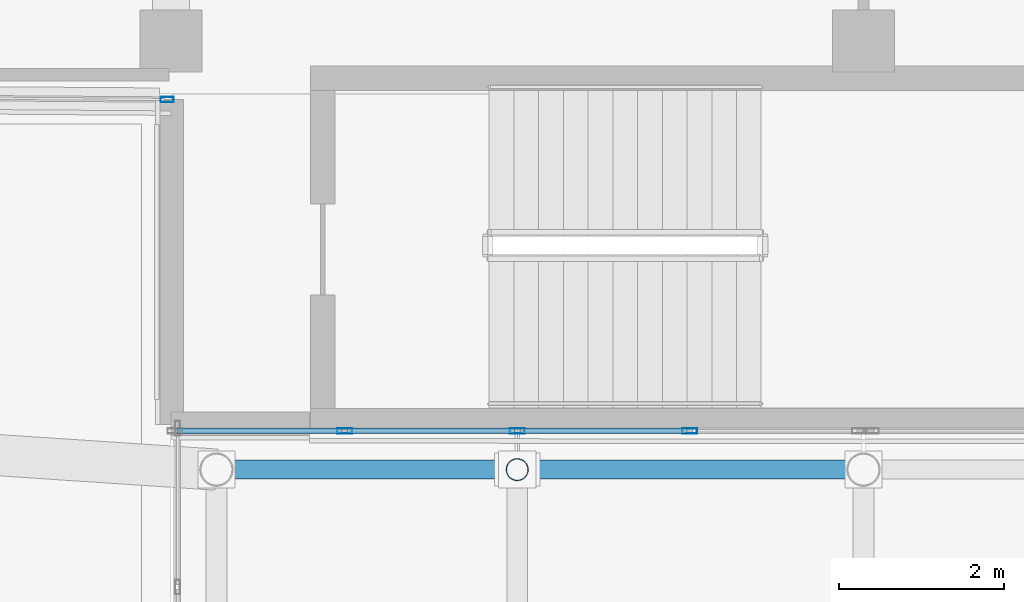
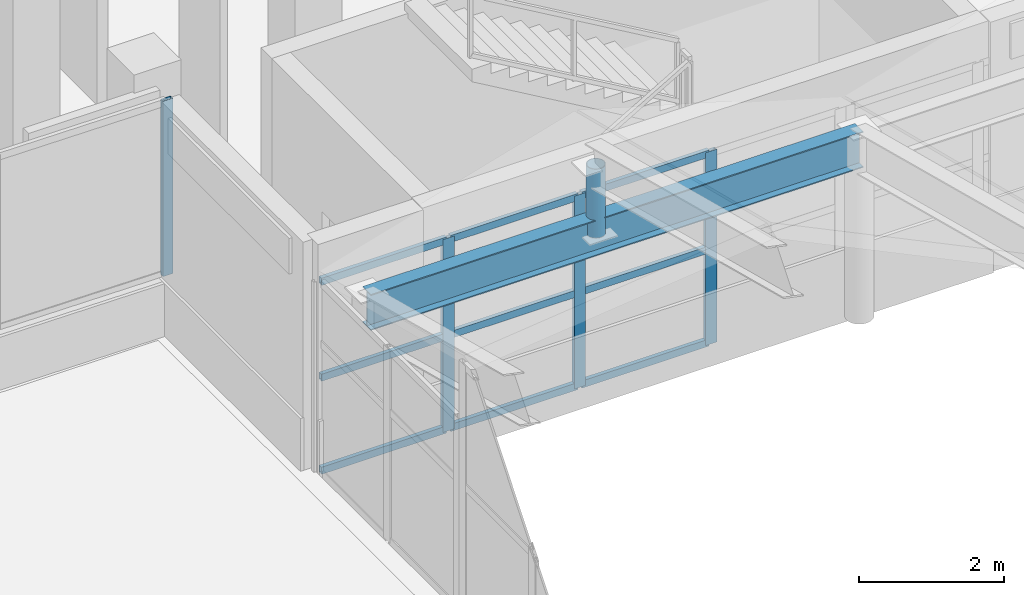
# One storey, part 76 of 184: 14 members, 1 beam, 2 elements without a shape of their own.
"""IFC4 building model written with IfcOpenShell, lengths in metres."""

from ifc_helpers import new_model, si_unit, direction, frame, origin, origin_2d, place, context, subcontext, project, spatial, hollow_rectangle, hollow_circle, i_section, extrude, material, material_profile, profile_set, type_object, element, aggregate, save


model = new_model("IFC4")

# Units and contexts
model_context = context("Model", 3, precision=1e-05, world=origin(), true_north=direction((0.0, 1.0)))
body_context = subcontext(model_context, "Body", "Model", "MODEL_VIEW")
ifc_project = project(units=[si_unit("LENGTHUNIT", "METRE"), si_unit("AREAUNIT", "SQUARE_METRE"), si_unit("VOLUMEUNIT", "CUBIC_METRE"), si_unit("PLANEANGLEUNIT", "RADIAN"), si_unit("MASSUNIT", "GRAM", prefix="KILO")], contexts=[model_context])

# Site, building, storey
site_placement = place(None, origin())
site = spatial("IfcSite", under=ifc_project, at=site_placement, CompositionType="ELEMENT")
building_placement = place(site_placement, origin())
building = spatial("IfcBuilding", under=site, at=building_placement, Name="Selatvlak General Hospital", CompositionType="ELEMENT")
storey_placement = place(building_placement, frame((0.0, 0.0, 15.0)))
storey = spatial("IfcBuildingStorey", under=building, at=storey_placement, Name="L03", CompositionType="ELEMENT", Elevation=15.0)

# Beam
ifc_material_1 = material(Name="Steel S355", Category="steel")
ifc_material_profile_1 = material_profile(ifc_material_1, i_section(OverallWidth=0.228271484375, OverallDepth=0.607666015625, WebThickness=0.010986328125, FlangeThickness=0.017333984375, at=origin_2d()), Name="UB 610x229x113")
ifc_profile_set_1 = profile_set([ifc_material_profile_1], Name="Steel S355")
beam_type = type_object("IfcBeamType", Name="BM-RF4", PredefinedType="BEAM", material=ifc_profile_set_1)
beam_placement = place(storey_placement, frame((23.35009765625, 83.449951171875, 2.87109375), z_axis=(1.0, 0.0, 0.0), x_axis=(0.0, 1.0, 0.0)))
element("IfcBeam", 1, at=beam_placement, inside=storey, type_object=beam_type, Name="Folded roof N valley girder 1", PredefinedType="BEAM", context=body_context, shape_type="SweptSolid", body=[
    extrude(i_section(OverallWidth=0.228271484375, OverallDepth=0.607666015625, WebThickness=0.010986328125, FlangeThickness=0.017333984375, at=origin_2d()), origin(), (0.0, 0.0, 1.0), 7.849853515625),
])

# Curtain wall, member
ifc_material_2 = material(Name="Solar-control Low-E double glazing", Category="glass")
curtain_wall_type_1 = type_object("IfcCurtainWallType", Name="CW-CW-01", PredefinedType="USERDEFINED", material=ifc_material_2)
curtain_wall_1_placement = place(storey_placement, origin())
curtain_wall_1 = element("IfcCurtainWall", 2, at=curtain_wall_1_placement, inside=storey, type_object=curtain_wall_type_1, Name="Glazed facade curtain wall CW-L03-0475", ObjectType="UNITISED CURTAIN WALL", PredefinedType="USERDEFINED")
ifc_material_3 = material(Name="Dark anodised aluminium mullion", Category="aluminium")
ifc_material_profile_2 = material_profile(ifc_material_3, hollow_rectangle(XDim=0.06494140625, YDim=0.159912109375, WallThickness=0.00390625, at=origin_2d()), Name="AL-MUL 65x160x4")
ifc_profile_set_2 = profile_set([ifc_material_profile_2], Name="Dark anodised aluminium mullion")
member_type_1 = type_object("IfcMemberType", Name="CWM-01", PredefinedType="MULLION", material=ifc_profile_set_2)
member_1_placement = place(storey_placement, frame((22.75244140625, 87.940185546875, 0.93994140625), z_axis=(0.0, 0.0, 1.0), x_axis=(-0.007211350946, -0.999973997871, 0.0)))
member_1 = element("IfcMember", 3, at=member_1_placement, type_object=member_type_1, Name="CW-01 mullion 1", PredefinedType="MULLION", context=body_context, shape_type="SweptSolid", body=[
    extrude(hollow_rectangle(XDim=0.06494140625, YDim=0.159912109375, WallThickness=0.00390625, at=origin_2d()), origin(), (0.0, 0.0, 1.0), 2.955078125),
])
aggregate(curtain_wall_1, [member_1])

# Curtain wall, members
curtain_wall_type_2 = type_object("IfcCurtainWallType", Name="CW-CW-04", PredefinedType="USERDEFINED", material=ifc_material_2)
curtain_wall_2_placement = place(storey_placement, origin())
curtain_wall_2 = element("IfcCurtainWall", 4, at=curtain_wall_2_placement, inside=storey, type_object=curtain_wall_type_2, Name="Glazed facade curtain wall CW-L03-0716", ObjectType="STICK GLAZING WALL", PredefinedType="USERDEFINED")
ifc_material_profile_3 = material_profile(ifc_material_3, hollow_rectangle(XDim=0.06494140625, YDim=0.179931640625, WallThickness=0.00439453125, at=origin_2d()), Name="AL-MUL 65x180x4.5")
ifc_profile_set_3 = profile_set([ifc_material_profile_3], Name="Dark anodised aluminium mullion")
member_type_2 = type_object("IfcMemberType", Name="CWM-02", PredefinedType="MULLION", material=ifc_profile_set_3)
member_2_placement = place(storey_placement, frame((24.907470703125, 83.919921875, 0.0), z_axis=(0.0, 0.0, 1.0), x_axis=(0.0, 1.0, 0.0)))
member_2 = element("IfcMember", 5, at=member_2_placement, type_object=member_type_2, Name="CW-04 mullion 2", PredefinedType="MULLION", context=body_context, shape_type="SweptSolid", body=[
    extrude(hollow_rectangle(XDim=0.06494140625, YDim=0.179931640625, WallThickness=0.00439453125, at=origin_2d()), origin(), (0.0, 0.0, 1.0), 3.25),
])
member_3_placement = place(storey_placement, frame((27.0, 83.919921875, 0.0), z_axis=(0.0, 0.0, 1.0), x_axis=(0.0, 1.0, 0.0)))
member_3 = element("IfcMember", 6, at=member_3_placement, type_object=member_type_2, Name="CW-04 mullion 3", PredefinedType="MULLION", context=body_context, shape_type="SweptSolid", body=[
    extrude(hollow_rectangle(XDim=0.06494140625, YDim=0.179931640625, WallThickness=0.00439453125, at=origin_2d()), origin(), (0.0, 0.0, 1.0), 3.25),
])
member_4_placement = place(storey_placement, frame((29.092529296875, 83.919921875, 0.0), z_axis=(0.0, 0.0, 1.0), x_axis=(0.0, 1.0, 0.0)))
member_4 = element("IfcMember", 7, at=member_4_placement, type_object=member_type_2, Name="CW-04 mullion 4", PredefinedType="MULLION", context=body_context, shape_type="SweptSolid", body=[
    extrude(hollow_rectangle(XDim=0.06494140625, YDim=0.179931640625, WallThickness=0.00439453125, at=origin_2d()), origin(), (0.0, 0.0, 1.0), 3.25),
])
ifc_material_profile_4 = material_profile(ifc_material_3, hollow_rectangle(XDim=0.06494140625, YDim=0.1201171875, WallThickness=0.00390625, at=origin_2d()), Name="AL-TRN 65x120x4")
ifc_profile_set_4 = profile_set([ifc_material_profile_4], Name="Dark anodised aluminium mullion")
member_type_3 = type_object("IfcMemberType", Name="CWT-01", PredefinedType="USERDEFINED", material=ifc_profile_set_4)
member_5_placement = place(storey_placement, frame((22.8798828125, 83.919921875, 0.032470703125), z_axis=(1.0, 0.0, 0.0), x_axis=(0.0, 1.0, 0.0)))
member_5 = element("IfcMember", 8, at=member_5_placement, type_object=member_type_3, Name="CW-04 transom 1.1", ObjectType="TRANSOM", PredefinedType="USERDEFINED", context=body_context, shape_type="SweptSolid", body=[
    extrude(hollow_rectangle(XDim=0.06494140625, YDim=0.1201171875, WallThickness=0.00390625, at=origin_2d()), origin(), (0.0, 0.0, 1.0), 1.9951171875),
])
member_6_placement = place(storey_placement, frame((22.8798828125, 83.919921875, 1.60009765625), z_axis=(1.0, 0.0, 0.0), x_axis=(0.0, 1.0, 0.0)))
member_6 = element("IfcMember", 9, at=member_6_placement, type_object=member_type_3, Name="CW-04 transom 1.2", ObjectType="TRANSOM", PredefinedType="USERDEFINED", context=body_context, shape_type="SweptSolid", body=[
    extrude(hollow_rectangle(XDim=0.06494140625, YDim=0.1201171875, WallThickness=0.00390625, at=origin_2d()), origin(), (0.0, 0.0, 1.0), 1.9951171875),
])
member_7_placement = place(storey_placement, frame((22.8798828125, 83.919921875, 3.217529296875), z_axis=(1.0, 0.0, 0.0), x_axis=(0.0, 1.0, 0.0)))
member_7 = element("IfcMember", 10, at=member_7_placement, type_object=member_type_3, Name="CW-04 transom 1.3", ObjectType="TRANSOM", PredefinedType="USERDEFINED", context=body_context, shape_type="SweptSolid", body=[
    extrude(hollow_rectangle(XDim=0.06494140625, YDim=0.1201171875, WallThickness=0.00390625, at=origin_2d()), origin(), (0.0, 0.0, 1.0), 1.9951171875),
])
member_8_placement = place(storey_placement, frame((24.93994140625, 83.919921875, 0.032470703125), z_axis=(1.0, 0.0, 0.0), x_axis=(0.0, 1.0, 0.0)))
member_8 = element("IfcMember", 11, at=member_8_placement, type_object=member_type_3, Name="CW-04 transom 2.1", ObjectType="TRANSOM", PredefinedType="USERDEFINED", context=body_context, shape_type="SweptSolid", body=[
    extrude(hollow_rectangle(XDim=0.06494140625, YDim=0.1201171875, WallThickness=0.00390625, at=origin_2d()), origin(), (0.0, 0.0, 1.0), 2.027587890625),
])
member_9_placement = place(storey_placement, frame((24.93994140625, 83.919921875, 1.60009765625), z_axis=(1.0, 0.0, 0.0), x_axis=(0.0, 1.0, 0.0)))
member_9 = element("IfcMember", 12, at=member_9_placement, type_object=member_type_3, Name="CW-04 transom 2.2", ObjectType="TRANSOM", PredefinedType="USERDEFINED", context=body_context, shape_type="SweptSolid", body=[
    extrude(hollow_rectangle(XDim=0.06494140625, YDim=0.1201171875, WallThickness=0.00390625, at=origin_2d()), origin(), (0.0, 0.0, 1.0), 2.027587890625),
])
member_10_placement = place(storey_placement, frame((24.93994140625, 83.919921875, 3.217529296875), z_axis=(1.0, 0.0, 0.0), x_axis=(0.0, 1.0, 0.0)))
member_10 = element("IfcMember", 13, at=member_10_placement, type_object=member_type_3, Name="CW-04 transom 2.3", ObjectType="TRANSOM", PredefinedType="USERDEFINED", context=body_context, shape_type="SweptSolid", body=[
    extrude(hollow_rectangle(XDim=0.06494140625, YDim=0.1201171875, WallThickness=0.00390625, at=origin_2d()), origin(), (0.0, 0.0, 1.0), 2.027587890625),
])
member_11_placement = place(storey_placement, frame((27.032470703125, 83.919921875, 0.032470703125), z_axis=(1.0, 0.0, 0.0), x_axis=(0.0, 1.0, 0.0)))
member_11 = element("IfcMember", 14, at=member_11_placement, type_object=member_type_3, Name="CW-04 transom 3.1", ObjectType="TRANSOM", PredefinedType="USERDEFINED", context=body_context, shape_type="SweptSolid", body=[
    extrude(hollow_rectangle(XDim=0.06494140625, YDim=0.1201171875, WallThickness=0.00390625, at=origin_2d()), origin(), (0.0, 0.0, 1.0), 2.027587890625),
])
member_12_placement = place(storey_placement, frame((27.032470703125, 83.919921875, 1.60009765625), z_axis=(1.0, 0.0, 0.0), x_axis=(0.0, 1.0, 0.0)))
member_12 = element("IfcMember", 15, at=member_12_placement, type_object=member_type_3, Name="CW-04 transom 3.2", ObjectType="TRANSOM", PredefinedType="USERDEFINED", context=body_context, shape_type="SweptSolid", body=[
    extrude(hollow_rectangle(XDim=0.06494140625, YDim=0.1201171875, WallThickness=0.00390625, at=origin_2d()), origin(), (0.0, 0.0, 1.0), 2.027587890625),
])
member_13_placement = place(storey_placement, frame((27.032470703125, 83.919921875, 3.217529296875), z_axis=(1.0, 0.0, 0.0), x_axis=(0.0, 1.0, 0.0)))
member_13 = element("IfcMember", 16, at=member_13_placement, type_object=member_type_3, Name="CW-04 transom 3.3", ObjectType="TRANSOM", PredefinedType="USERDEFINED", context=body_context, shape_type="SweptSolid", body=[
    extrude(hollow_rectangle(XDim=0.06494140625, YDim=0.1201171875, WallThickness=0.00390625, at=origin_2d()), origin(), (0.0, 0.0, 1.0), 2.027587890625),
])
aggregate(curtain_wall_2, [member_2, member_3, member_4, member_5, member_6, member_7, member_8, member_9, member_10, member_11, member_12, member_13])

# Member
ifc_material_profile_5 = material_profile(ifc_material_1, hollow_circle(Radius=0.136474609375, WallThickness=0.010009765625, at=origin_2d()), Name="CHS 273.0x10")
ifc_profile_set_5 = profile_set([ifc_material_profile_5], Name="Steel S355")
member_type_4 = type_object("IfcMemberType", Name="MEM-ST1", PredefinedType="STRUT", material=ifc_profile_set_5)
member_14_placement = place(storey_placement, frame((27.0, 83.449951171875, 2.87109375), z_axis=(0.0, 0.0, 1.0), x_axis=(1.0, 0.0, 0.0)))
element("IfcMember", 17, at=member_14_placement, inside=storey, type_object=member_type_4, Name="Folded roof ridge kingpost N-1", PredefinedType="STRUT", context=body_context, shape_type="SweptSolid", body=[
    extrude(hollow_circle(Radius=0.136474609375, WallThickness=0.010009765625, at=origin_2d()), origin(), (0.0, 0.0, 1.0), 1.161865234375),
])

save(model, "model.ifc")
